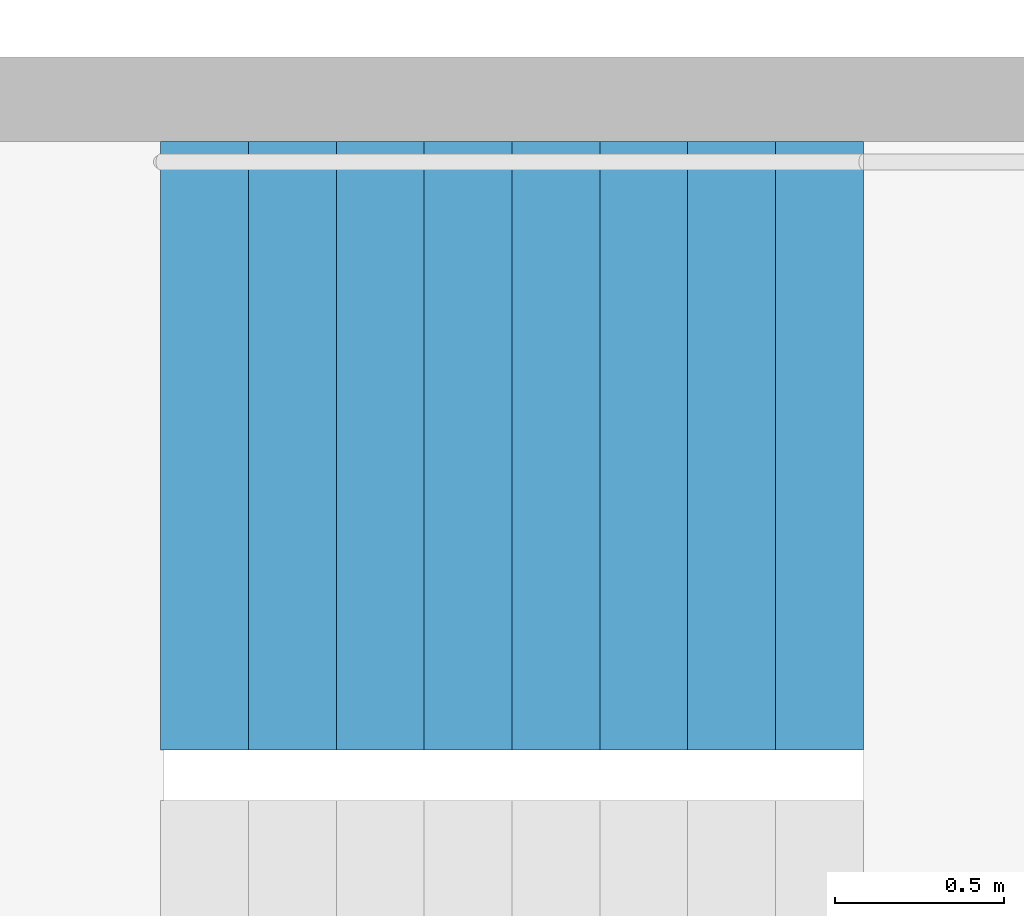
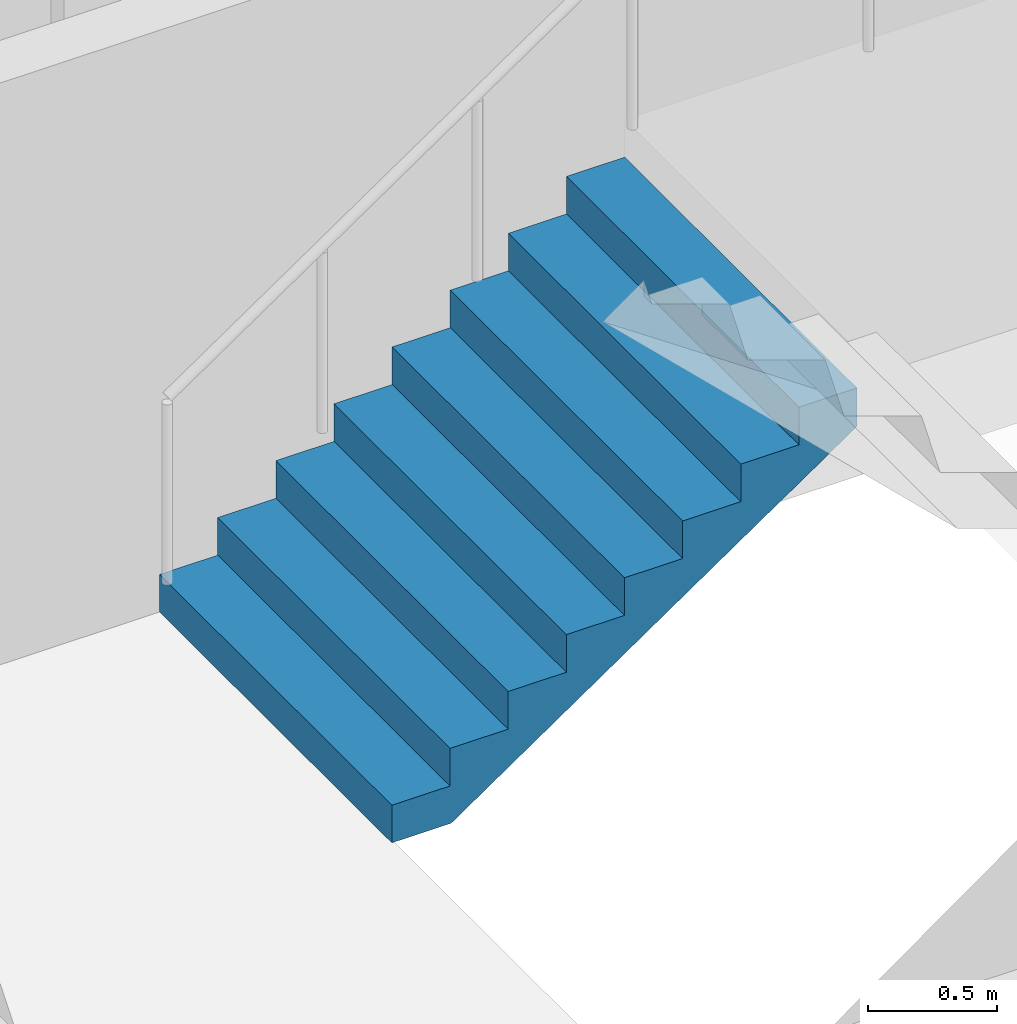
# One storey, part 24 of 27: 1 stair flight, 1 element without a shape of its own.
"""IFC4 building model written with IfcOpenShell, lengths in metres."""

import ifcopenshell
import ifcopenshell.guid

model = None  # the IFC model being written
_history = None  # IfcOwnerHistory: only IFC2X3 demands one
_inside = {}  # id of a spatial element -> (the spatial element, [elements in it])
_under = {}  # id of a project, library or spatial element -> (it, [spatial elements below it])
_declared = {}  # id of a project -> (the project, [libraries it declares])
_typed = {}  # id of a type object -> (the type object, [elements of that type])
_made_of = {}  # id of a material, layer set ... -> (it, [elements and type objects made of it])


def new_model(schema):
    """Start an empty IFC model of exactly this schema.

    Asked for "IFC4X3", IfcOpenShell would pick the latest addendum, in which some entities
    have other attributes; the version numbers below select the first issue.
    IFC2X3 requires an IfcOwnerHistory on every rooted entity: one is made here for all.
    """
    global model, _history
    if schema == "IFC4X3":
        model = ifcopenshell.file(schema_version=(4, 3, 0, 0))
    else:
        model = ifcopenshell.file(schema=schema)
    _inside.clear()
    _under.clear()
    _declared.clear()
    _typed.clear()
    _made_of.clear()
    _history = None
    if model.schema == "IFC2X3":
        org = make("IfcOrganization", Name="unknown")
        user = make(
            "IfcPersonAndOrganization",
            ThePerson=make("IfcPerson", FamilyName="unknown"),
            TheOrganization=org,
        )
        app = make(
            "IfcApplication",
            ApplicationDeveloper=org,
            Version="unknown",
            ApplicationFullName="unknown",
            ApplicationIdentifier="unknown",
        )
        _history = make(
            "IfcOwnerHistory",
            OwningUser=user,
            OwningApplication=app,
            ChangeAction="ADDED",
            CreationDate=0,
        )
    return model


def make(cls, **values):
    """One entity of the class cls with the attributes given. An attribute that is None is left unset."""
    return model.create_entity(
        cls, **{name: value for name, value in values.items() if value is not None}
    )


def rooted(cls, **values):
    """An entity with a GlobalId (a new one), such as an element, a storey or a relation."""
    return make(cls, GlobalId=ifcopenshell.guid.new(), OwnerHistory=_history, **values)


def si_unit(unit_type, name, prefix=None):
    """IfcSIUnit, for example si_unit("LENGTHUNIT", "METRE", prefix="MILLI")."""
    return make("IfcSIUnit", UnitType=unit_type, Prefix=prefix, Name=name)


def assignment(units):
    """IfcUnitAssignment: the units of a project."""
    return None if units is None else make("IfcUnitAssignment", Units=units)


def point(xyz):
    """IfcCartesianPoint."""
    return None if xyz is None else make("IfcCartesianPoint", Coordinates=xyz)


def direction(xyz):
    """IfcDirection."""
    return None if xyz is None else make("IfcDirection", DirectionRatios=xyz)


def frame(location, z_axis=None, x_axis=None):
    """IfcAxis2Placement3D, a coordinate frame: its origin and axes. An axis left out is left unset."""
    return make(
        "IfcAxis2Placement3D",
        Location=point(location),
        Axis=direction(z_axis),
        RefDirection=direction(x_axis),
    )


def origin():
    """The frame at (0, 0, 0) with its axes left unset."""
    return frame((0.0, 0.0, 0.0))


def place(relative_to, where):
    """IfcLocalPlacement: puts the frame where relative to a parent placement (None: the world)."""
    return make(
        "IfcLocalPlacement", PlacementRelTo=relative_to, RelativePlacement=where
    )


def context(
    kind, dimensions, precision=None, world=None, true_north=None, identifier=None
):
    """IfcGeometricRepresentationContext, for example the 3D "Model" context."""
    return make(
        "IfcGeometricRepresentationContext",
        ContextIdentifier=identifier,
        ContextType=kind,
        CoordinateSpaceDimension=dimensions,
        Precision=precision,
        WorldCoordinateSystem=world,
        TrueNorth=true_north,
    )


def subcontext(parent, identifier, kind, view, scale=None):
    """IfcGeometricRepresentationSubContext, for example "Body" below "Model"."""
    return make(
        "IfcGeometricRepresentationSubContext",
        ContextIdentifier=identifier,
        ContextType=kind,
        ParentContext=parent,
        TargetScale=scale,
        TargetView=view,
    )


def project(units=None, contexts=None):
    """IfcProject with its units and contexts."""
    return rooted(
        "IfcProject",
        Name="project",
        RepresentationContexts=contexts,
        UnitsInContext=assignment(units),
    )


def spatial(cls, under=None, at=None, **own):
    """A site, building, storey or space (cls), placed at a placement, below another one or the project."""
    s = rooted(cls, ObjectPlacement=at, **own)
    if under is not None:
        _under.setdefault(under.id(), (under, []))[1].append(s)
    return s


def point_list(points):
    """IfcCartesianPointList2D or 3D."""
    cls = (
        "IfcCartesianPointList2D" if len(points[0]) == 2 else "IfcCartesianPointList3D"
    )
    return make(cls, CoordList=points)


def triangles(points, corners, closed=None, point_numbers=None):
    """IfcTriangulatedFaceSet: each triangle names its three corners, points numbered from 1."""
    return make(
        "IfcTriangulatedFaceSet",
        Coordinates=point_list(points),
        Closed=closed,
        CoordIndex=corners,
        PnIndex=point_numbers,
    )


def shape(context_of_items, identifier, shape_type, items):
    """IfcShapeRepresentation: the items that make up one representation, for example the "Body"."""
    return make(
        "IfcShapeRepresentation",
        ContextOfItems=context_of_items,
        RepresentationIdentifier=identifier,
        RepresentationType=shape_type,
        Items=items,
    )


def material(Name=None, Category=None):
    """IfcMaterial."""
    return make("IfcMaterial", Name=Name, Category=Category)


def made_of(thing, what):
    """Note that an element or type object is made of a material, layer set ...; save() writes the relation."""
    if what is not None:
        _made_of.setdefault(what.id(), (what, []))[1].append(thing)
    return thing


def type_object(cls, material=None, **own):
    """A type object (cls), such as IfcWallType, which elements share."""
    return made_of(rooted(cls, **own), material)


def element(
    cls,
    number,
    at=None,
    inside=None,
    cuts=None,
    type_object=None,
    material=None,
    context=None,
    identifier="Body",
    shape_type=None,
    held_by="IfcProductDefinitionShape",
    body=None,
    shapes=None,
    **own,
):
    """One element of the class cls, such as IfcWall. Its Tag is "e" and its number.

    at: its placement. inside: the storey or other place that contains it. cuts: it is an
    opening in that element (IfcRelVoidsElement). A single representation is given by context,
    identifier, shape_type and body (its items); several are given by shapes. held_by: the class
    of the entity that holds the representations. save() writes the other relations.
    """
    e = rooted(cls, Tag="e%d" % number, ObjectPlacement=at, **own)
    if body is not None:
        shapes = [shape(context, identifier, shape_type, body)]
    if shapes is not None:
        e.Representation = make(held_by, Representations=shapes)
    if inside is not None:
        _inside.setdefault(inside.id(), (inside, []))[1].append(e)
    if cuts is not None:
        rooted(
            "IfcRelVoidsElement", RelatingBuildingElement=cuts, RelatedOpeningElement=e
        )
    if type_object is not None:
        _typed.setdefault(type_object.id(), (type_object, []))[1].append(e)
    return made_of(e, material)


def aggregate(whole, parts):
    """IfcRelAggregates: a whole, such as a stair, and the parts it consists of."""
    return rooted("IfcRelAggregates", RelatingObject=whole, RelatedObjects=parts)


def save(model, path):
    """Write the relations noted so far, then the file.

    IfcRelAggregates (storeys below a building ...), IfcRelContainedInSpatialStructure (elements
    in a storey), IfcRelDefinesByType, IfcRelAssociatesMaterial and IfcRelDeclares: one each for
    every whole, place, type object, material and project.
    """
    for whole, parts in _under.values():
        aggregate(whole, parts)
    for where, things in _inside.values():
        rooted(
            "IfcRelContainedInSpatialStructure",
            RelatedElements=things,
            RelatingStructure=where,
        )
    for kind, things in _typed.values():
        rooted("IfcRelDefinesByType", RelatedObjects=things, RelatingType=kind)
    for what, things in _made_of.values():
        rooted("IfcRelAssociatesMaterial", RelatedObjects=things, RelatingMaterial=what)
    for by, libraries in _declared.values():
        rooted("IfcRelDeclares", RelatingContext=by, RelatedDefinitions=libraries)
    model.write(path)


model = new_model("IFC4")

# Units and contexts
model_context = context("Model", 3, precision=1e-05, world=origin(), true_north=direction((0.0, 1.0)))
body_context = subcontext(model_context, "Body", "Model", "MODEL_VIEW")
ifc_project = project(units=[si_unit("LENGTHUNIT", "METRE"), si_unit("AREAUNIT", "SQUARE_METRE"), si_unit("VOLUMEUNIT", "CUBIC_METRE"), si_unit("PLANEANGLEUNIT", "RADIAN"), si_unit("MASSUNIT", "GRAM", prefix="KILO")], contexts=[model_context])

# Site, building, storey
site_placement = place(None, origin())
site = spatial("IfcSite", under=ifc_project, at=site_placement, CompositionType="ELEMENT")
building_placement = place(site_placement, origin())
building = spatial("IfcBuilding", under=site, at=building_placement, Name="Hakoniwa Tower and Hamabe Station Hall", CompositionType="ELEMENT")
storey_placement = place(building_placement, frame((0.0, 0.0, 248.60009765625)))
storey = spatial("IfcBuildingStorey", under=building, at=storey_placement, Name="L70", CompositionType="ELEMENT", Elevation=248.60009765625)

# Stair, stair flight
ifc_material_1 = material(Name="Concrete C40", Category="concrete")
stair_type = type_object("IfcStairType", Name="ESCAPE STAIR 1800", PredefinedType="HALF_TURN_STAIR", material=ifc_material_1)
stair_placement = place(storey_placement, origin())
stair = element("IfcStair", 1, at=stair_placement, inside=storey, type_object=stair_type, Name="Escape stair ST-4 L70", PredefinedType="HALF_TURN_STAIR")
ifc_material_2 = material(Name="Concrete C40", Category="concrete")
stair_flight_type = type_object("IfcStairFlightType", Name="STAIR FLIGHT 1800", PredefinedType="STRAIGHT", material=ifc_material_2)
stair_flight_placement = place(storey_placement, frame((23.39990234375, -4.64990234375, 0.0), z_axis=(0.0, 0.0, 1.0), x_axis=(1.0, 0.0, 0.0)))
stair_flight = element("IfcStairFlight", 2, at=stair_flight_placement, type_object=stair_flight_type, Name="ST-4 flight 1", NumberOfRisers=9, NumberOfTreads=8, PredefinedType="STRAIGHT", RiserHeight=0.177777778, TreadLength=0.26, context=body_context, shape_type="Tessellation", body=[
    triangles([(0.0, 0.89990234375, 0.0), (0.260009765625, 0.89990234375, 0.0), (0.265625, 0.89990234375, 0.0), (0.52001953125, 0.89990234375, 0.174072265625), (0.780029296875, 0.89990234375, 0.351806640625), (1.0400390625, 0.89990234375, 0.529541015625), (1.300048828125, 0.89990234375, 0.707275390625), (1.56005859375, 0.89990234375, 0.885009765625), (1.820068359375, 0.89990234375, 1.062744140625), (2.080078125, 0.89990234375, 1.24072265625), (2.080078125, 0.89990234375, 1.422119140625), (1.820068359375, 0.89990234375, 1.422119140625), (1.820068359375, 0.89990234375, 1.244384765625), (1.56005859375, 0.89990234375, 1.244384765625), (1.56005859375, 0.89990234375, 1.066650390625), (1.300048828125, 0.89990234375, 1.066650390625), (1.300048828125, 0.89990234375, 0.888916015625), (1.0400390625, 0.89990234375, 0.888916015625), (1.0400390625, 0.89990234375, 0.711181640625), (0.780029296875, 0.89990234375, 0.711181640625), (0.780029296875, 0.89990234375, 0.533447265625), (0.52001953125, 0.89990234375, 0.533447265625), (0.52001953125, 0.89990234375, 0.35546875), (0.265625, 0.89990234375, 0.35546875), (0.260009765625, 0.89990234375, 0.35546875), (0.260009765625, 0.89990234375, 0.177734375), (0.0, 0.89990234375, 0.177734375), (0.0, 0.06005859375, 0.0), (0.260009765625, 0.06005859375, 0.0), (0.265625, 0.06005859375, 0.0), (0.52001953125, 0.06005859375, 0.174072265625), (0.780029296875, 0.06005859375, 0.351806640625), (1.0400390625, 0.06005859375, 0.529541015625), (1.300048828125, 0.06005859375, 0.707275390625), (1.56005859375, 0.06005859375, 0.885009765625), (1.820068359375, 0.06005859375, 1.062744140625), (2.080078125, 0.06005859375, 1.24072265625), (2.080078125, 0.06005859375, 1.422119140625), (1.820068359375, 0.06005859375, 1.422119140625), (1.820068359375, 0.06005859375, 1.244384765625), (1.56005859375, 0.06005859375, 1.244384765625), (1.56005859375, 0.06005859375, 1.066650390625), (1.300048828125, 0.06005859375, 1.066650390625), (1.300048828125, 0.06005859375, 0.888916015625), (1.0400390625, 0.06005859375, 0.888916015625), (1.0400390625, 0.06005859375, 0.711181640625), (0.780029296875, 0.06005859375, 0.711181640625), (0.780029296875, 0.06005859375, 0.533447265625), (0.52001953125, 0.06005859375, 0.533447265625), (0.52001953125, 0.06005859375, 0.35546875), (0.265625, 0.06005859375, 0.35546875), (0.260009765625, 0.06005859375, 0.35546875), (0.260009765625, 0.06005859375, 0.177734375), (0.0, 0.06005859375, 0.177734375), (0.0, 0.04296875, 0.0), (0.260009765625, 0.04296875, 0.0), (0.265625, 0.04296875, 0.0), (0.52001953125, 0.04296875, 0.174072265625), (0.780029296875, 0.04296875, 0.351806640625), (1.0400390625, 0.04296875, 0.529541015625), (1.300048828125, 0.04296875, 0.707275390625), (1.56005859375, 0.04296875, 0.885009765625), (1.820068359375, 0.04296875, 1.062744140625), (2.080078125, 0.04296875, 1.24072265625), (2.080078125, 0.04296875, 1.422119140625), (1.820068359375, 0.04296875, 1.422119140625), (1.820068359375, 0.04296875, 1.244384765625), (1.56005859375, 0.04296875, 1.244384765625), (1.56005859375, 0.04296875, 1.066650390625), (1.300048828125, 0.04296875, 1.066650390625), (1.300048828125, 0.04296875, 0.888916015625), (1.0400390625, 0.04296875, 0.888916015625), (1.0400390625, 0.04296875, 0.711181640625), (0.780029296875, 0.04296875, 0.711181640625), (0.780029296875, 0.04296875, 0.533447265625), (0.52001953125, 0.04296875, 0.533447265625), (0.52001953125, 0.04296875, 0.35546875), (0.265625, 0.04296875, 0.35546875), (0.260009765625, 0.04296875, 0.35546875), (0.260009765625, 0.04296875, 0.177734375), (0.0, 0.04296875, 0.177734375), (0.0, 0.025634765625, 0.0), (0.260009765625, 0.025634765625, 0.0), (0.265625, 0.025634765625, 0.0), (0.52001953125, 0.025634765625, 0.174072265625), (0.780029296875, 0.025634765625, 0.351806640625), (1.0400390625, 0.025634765625, 0.529541015625), (1.300048828125, 0.025634765625, 0.707275390625), (1.56005859375, 0.025634765625, 0.885009765625), (1.820068359375, 0.025634765625, 1.062744140625), (2.080078125, 0.025634765625, 1.24072265625), (2.080078125, 0.025634765625, 1.422119140625), (1.820068359375, 0.025634765625, 1.422119140625), (1.820068359375, 0.025634765625, 1.244384765625), (1.56005859375, 0.025634765625, 1.244384765625), (1.56005859375, 0.025634765625, 1.066650390625), (1.300048828125, 0.025634765625, 1.066650390625), (1.300048828125, 0.025634765625, 0.888916015625), (1.0400390625, 0.025634765625, 0.888916015625), (1.0400390625, 0.025634765625, 0.711181640625), (0.780029296875, 0.025634765625, 0.711181640625), (0.780029296875, 0.025634765625, 0.533447265625), (0.52001953125, 0.025634765625, 0.533447265625), (0.52001953125, 0.025634765625, 0.35546875), (0.265625, 0.025634765625, 0.35546875), (0.260009765625, 0.025634765625, 0.35546875), (0.260009765625, 0.025634765625, 0.177734375), (0.0, 0.025634765625, 0.177734375), (0.0, 0.008544921875, 0.0), (0.260009765625, 0.008544921875, 0.0), (0.265625, 0.008544921875, 0.0), (0.52001953125, 0.008544921875, 0.174072265625), (0.780029296875, 0.008544921875, 0.351806640625), (1.0400390625, 0.008544921875, 0.529541015625), (1.300048828125, 0.008544921875, 0.707275390625), (1.56005859375, 0.008544921875, 0.885009765625), (1.820068359375, 0.008544921875, 1.062744140625), (2.080078125, 0.008544921875, 1.24072265625), (2.080078125, 0.008544921875, 1.422119140625), (1.820068359375, 0.008544921875, 1.422119140625), (1.820068359375, 0.008544921875, 1.244384765625), (1.56005859375, 0.008544921875, 1.244384765625), (1.56005859375, 0.008544921875, 1.066650390625), (1.300048828125, 0.008544921875, 1.066650390625), (1.300048828125, 0.008544921875, 0.888916015625), (1.0400390625, 0.008544921875, 0.888916015625), (1.0400390625, 0.008544921875, 0.711181640625), (0.780029296875, 0.008544921875, 0.711181640625), (0.780029296875, 0.008544921875, 0.533447265625), (0.52001953125, 0.008544921875, 0.533447265625), (0.52001953125, 0.008544921875, 0.35546875), (0.265625, 0.008544921875, 0.35546875), (0.260009765625, 0.008544921875, 0.35546875), (0.260009765625, 0.008544921875, 0.177734375), (0.0, 0.008544921875, 0.177734375), (0.0, -0.008544921875, 0.0), (0.260009765625, -0.008544921875, 0.0), (0.265625, -0.008544921875, 0.0), (0.52001953125, -0.008544921875, 0.174072265625), (0.780029296875, -0.008544921875, 0.351806640625), (1.0400390625, -0.008544921875, 0.529541015625), (1.300048828125, -0.008544921875, 0.707275390625), (1.56005859375, -0.008544921875, 0.885009765625), (1.820068359375, -0.008544921875, 1.062744140625), (2.080078125, -0.008544921875, 1.24072265625), (2.080078125, -0.008544921875, 1.422119140625), (1.820068359375, -0.008544921875, 1.422119140625), (1.820068359375, -0.008544921875, 1.244384765625), (1.56005859375, -0.008544921875, 1.244384765625), (1.56005859375, -0.008544921875, 1.066650390625), (1.300048828125, -0.008544921875, 1.066650390625), (1.300048828125, -0.008544921875, 0.888916015625), (1.0400390625, -0.008544921875, 0.888916015625), (1.0400390625, -0.008544921875, 0.711181640625), (0.780029296875, -0.008544921875, 0.711181640625), (0.780029296875, -0.008544921875, 0.533447265625), (0.52001953125, -0.008544921875, 0.533447265625), (0.52001953125, -0.008544921875, 0.35546875), (0.265625, -0.008544921875, 0.35546875), (0.260009765625, -0.008544921875, 0.35546875), (0.260009765625, -0.008544921875, 0.177734375), (0.0, -0.008544921875, 0.177734375), (0.0, -0.025634765625, 0.0), (0.260009765625, -0.025634765625, 0.0), (0.265625, -0.025634765625, 0.0), (0.52001953125, -0.025634765625, 0.174072265625), (0.780029296875, -0.025634765625, 0.351806640625), (1.0400390625, -0.025634765625, 0.529541015625), (1.300048828125, -0.025634765625, 0.707275390625), (1.56005859375, -0.025634765625, 0.885009765625), (1.820068359375, -0.025634765625, 1.062744140625), (2.080078125, -0.025634765625, 1.24072265625), (2.080078125, -0.025634765625, 1.422119140625), (1.820068359375, -0.025634765625, 1.422119140625), (1.820068359375, -0.025634765625, 1.244384765625), (1.56005859375, -0.025634765625, 1.244384765625), (1.56005859375, -0.025634765625, 1.066650390625), (1.300048828125, -0.025634765625, 1.066650390625), (1.300048828125, -0.025634765625, 0.888916015625), (1.0400390625, -0.025634765625, 0.888916015625), (1.0400390625, -0.025634765625, 0.711181640625), (0.780029296875, -0.025634765625, 0.711181640625), (0.780029296875, -0.025634765625, 0.533447265625), (0.52001953125, -0.025634765625, 0.533447265625), (0.52001953125, -0.025634765625, 0.35546875), (0.265625, -0.025634765625, 0.35546875), (0.260009765625, -0.025634765625, 0.35546875), (0.260009765625, -0.025634765625, 0.177734375), (0.0, -0.025634765625, 0.177734375), (0.0, -0.04296875, 0.0), (0.260009765625, -0.04296875, 0.0), (0.265625, -0.04296875, 0.0), (0.52001953125, -0.04296875, 0.174072265625), (0.780029296875, -0.04296875, 0.351806640625), (1.0400390625, -0.04296875, 0.529541015625), (1.300048828125, -0.04296875, 0.707275390625), (1.56005859375, -0.04296875, 0.885009765625), (1.820068359375, -0.04296875, 1.062744140625), (2.080078125, -0.04296875, 1.24072265625), (2.080078125, -0.04296875, 1.422119140625), (1.820068359375, -0.04296875, 1.422119140625), (1.820068359375, -0.04296875, 1.244384765625), (1.56005859375, -0.04296875, 1.244384765625), (1.56005859375, -0.04296875, 1.066650390625), (1.300048828125, -0.04296875, 1.066650390625), (1.300048828125, -0.04296875, 0.888916015625), (1.0400390625, -0.04296875, 0.888916015625), (1.0400390625, -0.04296875, 0.711181640625), (0.780029296875, -0.04296875, 0.711181640625), (0.780029296875, -0.04296875, 0.533447265625), (0.52001953125, -0.04296875, 0.533447265625), (0.52001953125, -0.04296875, 0.35546875), (0.265625, -0.04296875, 0.35546875), (0.260009765625, -0.04296875, 0.35546875), (0.260009765625, -0.04296875, 0.177734375), (0.0, -0.04296875, 0.177734375), (0.0, -0.06005859375, 0.0), (0.260009765625, -0.06005859375, 0.0), (0.265625, -0.06005859375, 0.0), (0.52001953125, -0.06005859375, 0.174072265625), (0.780029296875, -0.06005859375, 0.351806640625), (1.0400390625, -0.06005859375, 0.529541015625), (1.300048828125, -0.06005859375, 0.707275390625), (1.56005859375, -0.06005859375, 0.885009765625), (1.820068359375, -0.06005859375, 1.062744140625), (2.080078125, -0.06005859375, 1.24072265625), (2.080078125, -0.06005859375, 1.422119140625), (1.820068359375, -0.06005859375, 1.422119140625), (1.820068359375, -0.06005859375, 1.244384765625), (1.56005859375, -0.06005859375, 1.244384765625), (1.56005859375, -0.06005859375, 1.066650390625), (1.300048828125, -0.06005859375, 1.066650390625), (1.300048828125, -0.06005859375, 0.888916015625), (1.0400390625, -0.06005859375, 0.888916015625), (1.0400390625, -0.06005859375, 0.711181640625), (0.780029296875, -0.06005859375, 0.711181640625), (0.780029296875, -0.06005859375, 0.533447265625), (0.52001953125, -0.06005859375, 0.533447265625), (0.52001953125, -0.06005859375, 0.35546875), (0.265625, -0.06005859375, 0.35546875), (0.260009765625, -0.06005859375, 0.35546875), (0.260009765625, -0.06005859375, 0.177734375), (0.0, -0.06005859375, 0.177734375), (0.0, -0.89990234375, 0.0), (0.260009765625, -0.89990234375, 0.0), (0.265625, -0.89990234375, 0.0), (0.52001953125, -0.89990234375, 0.174072265625), (0.780029296875, -0.89990234375, 0.351806640625), (1.0400390625, -0.89990234375, 0.529541015625), (1.300048828125, -0.89990234375, 0.707275390625), (1.56005859375, -0.89990234375, 0.885009765625), (1.820068359375, -0.89990234375, 1.062744140625), (2.080078125, -0.89990234375, 1.24072265625), (2.080078125, -0.89990234375, 1.422119140625), (1.820068359375, -0.89990234375, 1.422119140625), (1.820068359375, -0.89990234375, 1.244384765625), (1.56005859375, -0.89990234375, 1.244384765625), (1.56005859375, -0.89990234375, 1.066650390625), (1.300048828125, -0.89990234375, 1.066650390625), (1.300048828125, -0.89990234375, 0.888916015625), (1.0400390625, -0.89990234375, 0.888916015625), (1.0400390625, -0.89990234375, 0.711181640625), (0.780029296875, -0.89990234375, 0.711181640625), (0.780029296875, -0.89990234375, 0.533447265625), (0.52001953125, -0.89990234375, 0.533447265625), (0.52001953125, -0.89990234375, 0.35546875), (0.265625, -0.89990234375, 0.35546875), (0.260009765625, -0.89990234375, 0.35546875), (0.260009765625, -0.89990234375, 0.177734375), (0.0, -0.89990234375, 0.177734375)], [[2, 27, 26], [245, 269, 270], [2, 1, 27], [245, 270, 244], [3, 25, 24], [246, 267, 268], [3, 26, 25], [246, 268, 269], [3, 2, 26], [246, 269, 245], [4, 24, 23], [247, 266, 267], [4, 3, 24], [247, 267, 246], [5, 22, 21], [248, 264, 265], [5, 23, 22], [248, 265, 266], [5, 4, 23], [248, 266, 247], [6, 20, 19], [249, 262, 263], [6, 21, 20], [249, 263, 264], [6, 5, 21], [249, 264, 248], [7, 18, 17], [250, 260, 261], [7, 19, 18], [250, 261, 262], [7, 6, 19], [250, 262, 249], [8, 16, 15], [251, 258, 259], [8, 17, 16], [251, 259, 260], [8, 7, 17], [251, 260, 250], [9, 14, 13], [252, 256, 257], [9, 15, 14], [252, 257, 258], [9, 8, 15], [252, 258, 251], [10, 12, 11], [253, 254, 255], [10, 13, 12], [253, 255, 256], [10, 9, 13], [253, 256, 252], [1, 2, 29], [1, 29, 28], [28, 29, 56], [28, 56, 55], [55, 56, 83], [55, 83, 82], [82, 83, 110], [82, 110, 109], [109, 110, 137], [109, 137, 136], [136, 137, 164], [136, 164, 163], [163, 164, 191], [163, 191, 190], [190, 191, 218], [190, 218, 217], [217, 218, 245], [217, 245, 244], [2, 3, 30], [2, 30, 29], [29, 30, 57], [29, 57, 56], [56, 57, 84], [56, 84, 83], [83, 84, 111], [83, 111, 110], [110, 111, 138], [110, 138, 137], [137, 138, 165], [137, 165, 164], [164, 165, 192], [164, 192, 191], [191, 192, 219], [191, 219, 218], [218, 219, 246], [218, 246, 245], [3, 4, 31], [3, 31, 30], [30, 31, 58], [30, 58, 57], [57, 58, 85], [57, 85, 84], [84, 85, 112], [84, 112, 111], [111, 112, 139], [111, 139, 138], [138, 139, 166], [138, 166, 165], [165, 166, 193], [165, 193, 192], [192, 193, 220], [192, 220, 219], [219, 220, 247], [219, 247, 246], [4, 5, 32], [4, 32, 31], [31, 32, 59], [31, 59, 58], [58, 59, 86], [58, 86, 85], [85, 86, 113], [85, 113, 112], [112, 113, 140], [112, 140, 139], [139, 140, 167], [139, 167, 166], [166, 167, 194], [166, 194, 193], [193, 194, 221], [193, 221, 220], [220, 221, 248], [220, 248, 247], [5, 6, 33], [5, 33, 32], [32, 33, 60], [32, 60, 59], [59, 60, 87], [59, 87, 86], [86, 87, 114], [86, 114, 113], [113, 114, 141], [113, 141, 140], [140, 141, 168], [140, 168, 167], [167, 168, 195], [167, 195, 194], [194, 195, 222], [194, 222, 221], [221, 222, 249], [221, 249, 248], [6, 7, 34], [6, 34, 33], [33, 34, 61], [33, 61, 60], [60, 61, 88], [60, 88, 87], [87, 88, 115], [87, 115, 114], [114, 115, 142], [114, 142, 141], [141, 142, 169], [141, 169, 168], [168, 169, 196], [168, 196, 195], [195, 196, 223], [195, 223, 222], [222, 223, 250], [222, 250, 249], [7, 8, 35], [7, 35, 34], [34, 35, 62], [34, 62, 61], [61, 62, 89], [61, 89, 88], [88, 89, 116], [88, 116, 115], [115, 116, 143], [115, 143, 142], [142, 143, 170], [142, 170, 169], [169, 170, 197], [169, 197, 196], [196, 197, 224], [196, 224, 223], [223, 224, 251], [223, 251, 250], [8, 9, 36], [8, 36, 35], [35, 36, 63], [35, 63, 62], [62, 63, 90], [62, 90, 89], [89, 90, 117], [89, 117, 116], [116, 117, 144], [116, 144, 143], [143, 144, 171], [143, 171, 170], [170, 171, 198], [170, 198, 197], [197, 198, 225], [197, 225, 224], [224, 225, 252], [224, 252, 251], [9, 10, 37], [9, 37, 36], [36, 37, 64], [36, 64, 63], [63, 64, 91], [63, 91, 90], [90, 91, 118], [90, 118, 117], [117, 118, 145], [117, 145, 144], [144, 145, 172], [144, 172, 171], [171, 172, 199], [171, 199, 198], [198, 199, 226], [198, 226, 225], [225, 226, 253], [225, 253, 252], [10, 11, 38], [10, 38, 37], [37, 38, 65], [37, 65, 64], [64, 65, 92], [64, 92, 91], [91, 92, 119], [91, 119, 118], [118, 119, 146], [118, 146, 145], [145, 146, 173], [145, 173, 172], [172, 173, 200], [172, 200, 199], [199, 200, 227], [199, 227, 226], [226, 227, 254], [226, 254, 253], [11, 12, 39], [11, 39, 38], [38, 39, 66], [38, 66, 65], [65, 66, 93], [65, 93, 92], [92, 93, 120], [92, 120, 119], [119, 120, 147], [119, 147, 146], [146, 147, 174], [146, 174, 173], [173, 174, 201], [173, 201, 200], [200, 201, 228], [200, 228, 227], [227, 228, 255], [227, 255, 254], [12, 13, 40], [12, 40, 39], [39, 40, 67], [39, 67, 66], [66, 67, 94], [66, 94, 93], [93, 94, 121], [93, 121, 120], [120, 121, 148], [120, 148, 147], [147, 148, 175], [147, 175, 174], [174, 175, 202], [174, 202, 201], [201, 202, 229], [201, 229, 228], [228, 229, 256], [228, 256, 255], [13, 14, 41], [13, 41, 40], [40, 41, 68], [40, 68, 67], [67, 68, 95], [67, 95, 94], [94, 95, 122], [94, 122, 121], [121, 122, 149], [121, 149, 148], [148, 149, 176], [148, 176, 175], [175, 176, 203], [175, 203, 202], [202, 203, 230], [202, 230, 229], [229, 230, 257], [229, 257, 256], [14, 15, 42], [14, 42, 41], [41, 42, 69], [41, 69, 68], [68, 69, 96], [68, 96, 95], [95, 96, 123], [95, 123, 122], [122, 123, 150], [122, 150, 149], [149, 150, 177], [149, 177, 176], [176, 177, 204], [176, 204, 203], [203, 204, 231], [203, 231, 230], [230, 231, 258], [230, 258, 257], [15, 16, 43], [15, 43, 42], [42, 43, 70], [42, 70, 69], [69, 70, 97], [69, 97, 96], [96, 97, 124], [96, 124, 123], [123, 124, 151], [123, 151, 150], [150, 151, 178], [150, 178, 177], [177, 178, 205], [177, 205, 204], [204, 205, 232], [204, 232, 231], [231, 232, 259], [231, 259, 258], [16, 17, 44], [16, 44, 43], [43, 44, 71], [43, 71, 70], [70, 71, 98], [70, 98, 97], [97, 98, 125], [97, 125, 124], [124, 125, 152], [124, 152, 151], [151, 152, 179], [151, 179, 178], [178, 179, 206], [178, 206, 205], [205, 206, 233], [205, 233, 232], [232, 233, 260], [232, 260, 259], [17, 18, 45], [17, 45, 44], [44, 45, 72], [44, 72, 71], [71, 72, 99], [71, 99, 98], [98, 99, 126], [98, 126, 125], [125, 126, 153], [125, 153, 152], [152, 153, 180], [152, 180, 179], [179, 180, 207], [179, 207, 206], [206, 207, 234], [206, 234, 233], [233, 234, 261], [233, 261, 260], [18, 19, 46], [18, 46, 45], [45, 46, 73], [45, 73, 72], [72, 73, 100], [72, 100, 99], [99, 100, 127], [99, 127, 126], [126, 127, 154], [126, 154, 153], [153, 154, 181], [153, 181, 180], [180, 181, 208], [180, 208, 207], [207, 208, 235], [207, 235, 234], [234, 235, 262], [234, 262, 261], [19, 20, 47], [19, 47, 46], [46, 47, 74], [46, 74, 73], [73, 74, 101], [73, 101, 100], [100, 101, 128], [100, 128, 127], [127, 128, 155], [127, 155, 154], [154, 155, 182], [154, 182, 181], [181, 182, 209], [181, 209, 208], [208, 209, 236], [208, 236, 235], [235, 236, 263], [235, 263, 262], [20, 21, 48], [20, 48, 47], [47, 48, 75], [47, 75, 74], [74, 75, 102], [74, 102, 101], [101, 102, 129], [101, 129, 128], [128, 129, 156], [128, 156, 155], [155, 156, 183], [155, 183, 182], [182, 183, 210], [182, 210, 209], [209, 210, 237], [209, 237, 236], [236, 237, 264], [236, 264, 263], [21, 22, 49], [21, 49, 48], [48, 49, 76], [48, 76, 75], [75, 76, 103], [75, 103, 102], [102, 103, 130], [102, 130, 129], [129, 130, 157], [129, 157, 156], [156, 157, 184], [156, 184, 183], [183, 184, 211], [183, 211, 210], [210, 211, 238], [210, 238, 237], [237, 238, 265], [237, 265, 264], [22, 23, 50], [22, 50, 49], [49, 50, 77], [49, 77, 76], [76, 77, 104], [76, 104, 103], [103, 104, 131], [103, 131, 130], [130, 131, 158], [130, 158, 157], [157, 158, 185], [157, 185, 184], [184, 185, 212], [184, 212, 211], [211, 212, 239], [211, 239, 238], [238, 239, 266], [238, 266, 265], [23, 24, 51], [23, 51, 50], [50, 51, 78], [50, 78, 77], [77, 78, 105], [77, 105, 104], [104, 105, 132], [104, 132, 131], [131, 132, 159], [131, 159, 158], [158, 159, 186], [158, 186, 185], [185, 186, 213], [185, 213, 212], [212, 213, 240], [212, 240, 239], [239, 240, 267], [239, 267, 266], [24, 25, 52], [24, 52, 51], [51, 52, 79], [51, 79, 78], [78, 79, 106], [78, 106, 105], [105, 106, 133], [105, 133, 132], [132, 133, 160], [132, 160, 159], [159, 160, 187], [159, 187, 186], [186, 187, 214], [186, 214, 213], [213, 214, 241], [213, 241, 240], [240, 241, 268], [240, 268, 267], [25, 26, 53], [25, 53, 52], [52, 53, 80], [52, 80, 79], [79, 80, 107], [79, 107, 106], [106, 107, 134], [106, 134, 133], [133, 134, 161], [133, 161, 160], [160, 161, 188], [160, 188, 187], [187, 188, 215], [187, 215, 214], [214, 215, 242], [214, 242, 241], [241, 242, 269], [241, 269, 268], [26, 27, 54], [26, 54, 53], [53, 54, 81], [53, 81, 80], [80, 81, 108], [80, 108, 107], [107, 108, 135], [107, 135, 134], [134, 135, 162], [134, 162, 161], [161, 162, 189], [161, 189, 188], [188, 189, 216], [188, 216, 215], [215, 216, 243], [215, 243, 242], [242, 243, 270], [242, 270, 269], [27, 1, 28], [27, 28, 54], [54, 28, 55], [54, 55, 81], [81, 55, 82], [81, 82, 108], [108, 82, 109], [108, 109, 135], [135, 109, 136], [135, 136, 162], [162, 136, 163], [162, 163, 189], [189, 163, 190], [189, 190, 216], [216, 190, 217], [216, 217, 243], [243, 217, 244], [243, 244, 270]], closed=True),
])
aggregate(stair, [stair_flight])

save(model, "model.ifc")
